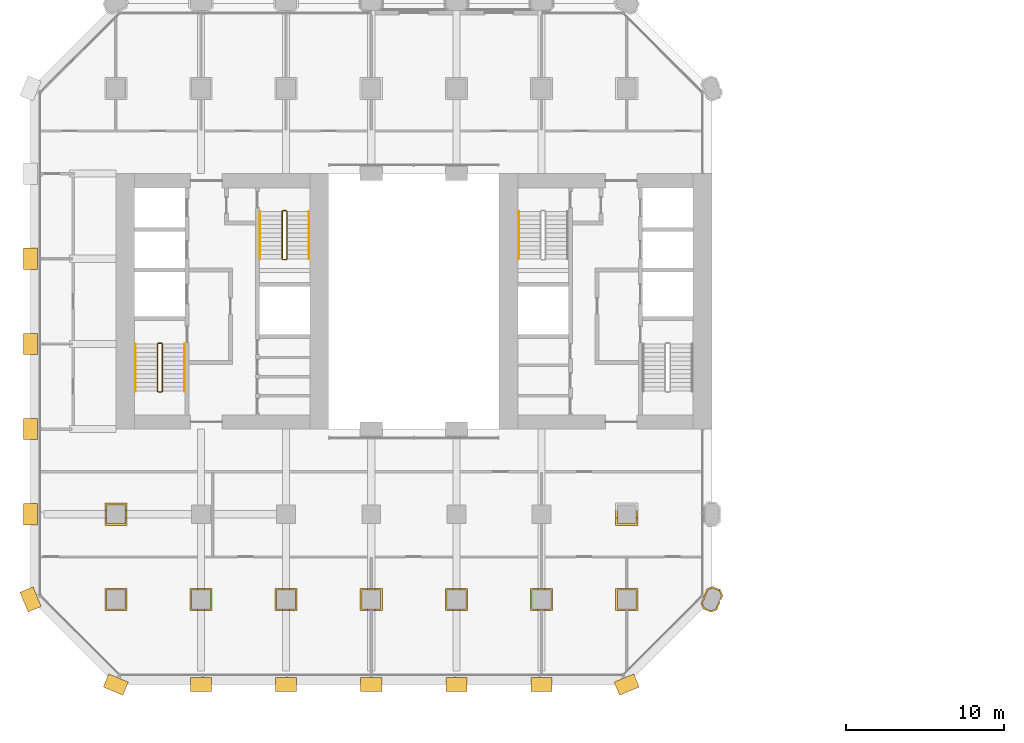
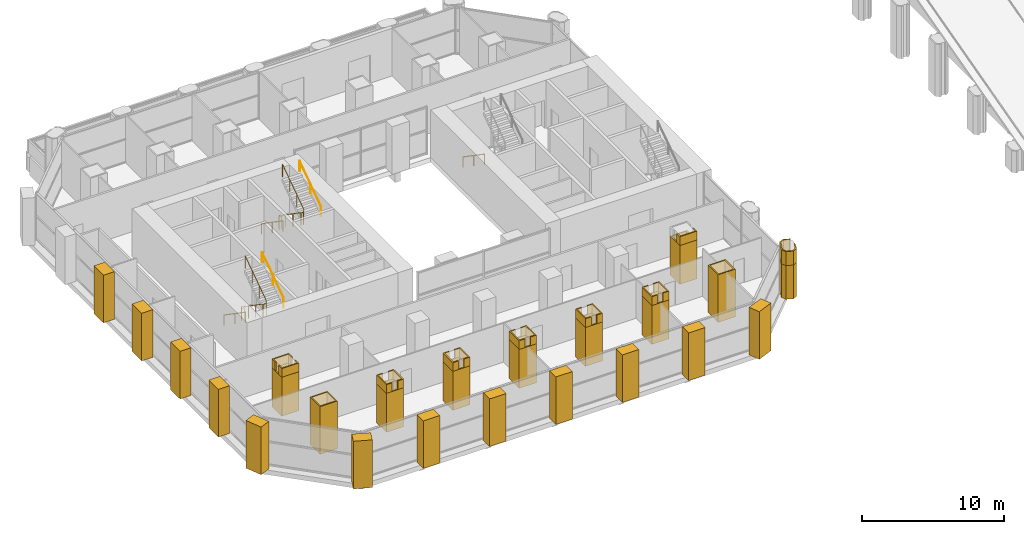
# One storey, part 19 of 23: 36 coverings, 7 railings.
"""IFC4 building model written with IfcOpenShell, lengths in metres."""

from ifc_helpers import new_model, si_unit, direction, frame, frame_2d, origin, origin_2d, place, context, subcontext, project, spatial, polyline, rectangle, circle, outline, extrude, material, layer, layer_set, type_object, element, save


model = new_model("IFC4")

# Units and contexts
model_context = context("Model", 3, precision=1e-05, world=origin(), true_north=direction((0.0, 1.0)))
body_context = subcontext(model_context, "Body", "Model", "MODEL_VIEW")
ifc_project = project(units=[si_unit("LENGTHUNIT", "METRE"), si_unit("AREAUNIT", "SQUARE_METRE"), si_unit("VOLUMEUNIT", "CUBIC_METRE"), si_unit("PLANEANGLEUNIT", "RADIAN"), si_unit("MASSUNIT", "GRAM", prefix="KILO")], contexts=[model_context])

# Site, building, storey
site_placement = place(None, origin())
site = spatial("IfcSite", under=ifc_project, at=site_placement, CompositionType="ELEMENT")
building_placement = place(site_placement, origin())
building = spatial("IfcBuilding", under=site, at=building_placement, Name="Tabaq Tower and Sports Hall", CompositionType="ELEMENT")
storey_placement = place(building_placement, frame((0.0, 0.0, 24.60009765625)))
storey = spatial("IfcBuildingStorey", under=building, at=storey_placement, Name="L04", CompositionType="ELEMENT", Elevation=24.60009765625)

# Coverings
ifc_material_1 = material(Name="Precast concrete C60/75", Category="concrete")
ifc_layer = layer(ifc_material_1, 0.10009765625)
ifc_layer_set = layer_set([ifc_layer], Name="Column cladding 100")
covering_type_1 = type_object("IfcCoveringType", Name="Column cladding 100", PredefinedType="CLADDING", material=ifc_layer_set)
covering_1_placement = place(storey_placement, origin())
element("IfcCovering", 1, at=covering_1_placement, inside=storey, type_object=covering_type_1, Name="Column cladding L04 CC-2B-P", PredefinedType="CLADDING", context=body_context, shape_type="SweptSolid", body=[
    extrude(outline(polyline([(4.7001953125, 6.099609375), (6.099609375, 6.099609375), (6.099609375, 4.7001953125), (4.7001953125, 4.7001953125), (4.7001953125, 6.099609375)]), holes=[polyline([(6.000244140625, 4.7998046875), (6.000244140625, 6.000244140625), (4.7998046875, 6.000244140625), (4.7998046875, 4.7998046875), (6.000244140625, 4.7998046875)])]), origin(), (0.0, 0.0, 1.0), 4.099853515625),
])
covering_2_placement = place(storey_placement, origin())
element("IfcCovering", 2, at=covering_2_placement, inside=storey, type_object=covering_type_1, Name="Column cladding L04 CC-2C-P", PredefinedType="CLADDING", context=body_context, shape_type="SweptSolid", body=[
    extrude(outline(polyline([(4.7001953125, 11.499755859375), (6.099609375, 11.499755859375), (6.099609375, 10.100341796875), (4.7001953125, 10.100341796875), (4.7001953125, 11.499755859375)]), holes=[polyline([(6.000244140625, 10.19970703125), (6.000244140625, 11.400390625), (4.7998046875, 11.400390625), (4.7998046875, 10.19970703125), (6.000244140625, 10.19970703125)])]), origin(), (0.0, 0.0, 1.0), 3.349853515625),
])
covering_3_placement = place(storey_placement, frame((0.0, 0.0, 3.349853515625)))
element("IfcCovering", 3, at=covering_3_placement, inside=storey, type_object=covering_type_1, Name="Column cladding L04 CC-2C-P head", PredefinedType="CLADDING", context=body_context, shape_type="SweptSolid", body=[
    extrude(outline(polyline([(4.79931640625, 10.574462890625), (4.79931640625, 10.199462890625), (6.00048828125, 10.199462890625), (6.00048828125, 10.574462890625), (6.099365234375, 10.574462890625), (6.099365234375, 10.1005859375), (4.70068359375, 10.1005859375), (4.70068359375, 10.574462890625), (4.79931640625, 10.574462890625)])), origin(), (0.0, 0.0, 1.0), 0.75),
])
covering_4_placement = place(storey_placement, frame((0.0, 0.0, 3.349853515625)))
element("IfcCovering", 4, at=covering_4_placement, inside=storey, type_object=covering_type_1, Name="Column cladding L04 CC-2C-P head 2", PredefinedType="CLADDING", context=body_context, shape_type="SweptSolid", body=[
    extrude(outline(polyline([(4.79931640625, 11.025634765625), (4.70068359375, 11.025634765625), (4.70068359375, 11.49951171875), (6.099365234375, 11.49951171875), (6.099365234375, 11.025634765625), (6.00048828125, 11.025634765625), (6.00048828125, 11.400634765625), (4.79931640625, 11.400634765625), (4.79931640625, 11.025634765625)])), origin(), (0.0, 0.0, 1.0), 0.75),
])
covering_5_placement = place(storey_placement, origin())
element("IfcCovering", 5, at=covering_5_placement, inside=storey, type_object=covering_type_1, Name="Column cladding L04 CC-3B-P", PredefinedType="CLADDING", context=body_context, shape_type="SweptSolid", body=[
    extrude(outline(polyline([(10.100341796875, 6.099609375), (11.499755859375, 6.099609375), (11.499755859375, 4.7001953125), (10.100341796875, 4.7001953125), (10.100341796875, 6.099609375)]), holes=[polyline([(11.400390625, 4.7998046875), (11.400390625, 6.000244140625), (10.19970703125, 6.000244140625), (10.19970703125, 4.7998046875), (11.400390625, 4.7998046875)])]), origin(), (0.0, 0.0, 1.0), 3.349853515625),
])
covering_6_placement = place(storey_placement, frame((0.0, 0.0, 3.349853515625)))
element("IfcCovering", 6, at=covering_6_placement, inside=storey, type_object=covering_type_1, Name="Column cladding L04 CC-3B-P head", PredefinedType="CLADDING", context=body_context, shape_type="SweptSolid", body=[
    extrude(outline(polyline([(10.574462890625, 4.79931640625), (10.574462890625, 4.70068359375), (10.1005859375, 4.70068359375), (10.1005859375, 6.099365234375), (10.574462890625, 6.099365234375), (10.574462890625, 6.00048828125), (10.199462890625, 6.00048828125), (10.199462890625, 4.79931640625), (10.574462890625, 4.79931640625)])), origin(), (0.0, 0.0, 1.0), 0.75),
])
covering_7_placement = place(storey_placement, frame((0.0, 0.0, 3.349853515625)))
element("IfcCovering", 7, at=covering_7_placement, inside=storey, type_object=covering_type_1, Name="Column cladding L04 CC-3B-P head 2", PredefinedType="CLADDING", context=body_context, shape_type="SweptSolid", body=[
    extrude(outline(polyline([(11.025634765625, 4.79931640625), (11.400634765625, 4.79931640625), (11.400634765625, 6.00048828125), (11.025634765625, 6.00048828125), (11.025634765625, 6.099365234375), (11.49951171875, 6.099365234375), (11.49951171875, 4.70068359375), (11.025634765625, 4.70068359375), (11.025634765625, 4.79931640625)])), origin(), (0.0, 0.0, 1.0), 0.75),
])
covering_8_placement = place(storey_placement, origin())
element("IfcCovering", 8, at=covering_8_placement, inside=storey, type_object=covering_type_1, Name="Column cladding L04 CC-4B-P", PredefinedType="CLADDING", context=body_context, shape_type="SweptSolid", body=[
    extrude(outline(polyline([(15.500244140625, 6.099609375), (16.899658203125, 6.099609375), (16.899658203125, 4.7001953125), (15.500244140625, 4.7001953125), (15.500244140625, 6.099609375)]), holes=[polyline([(16.80029296875, 4.7998046875), (16.80029296875, 6.000244140625), (15.599609375, 6.000244140625), (15.599609375, 4.7998046875), (16.80029296875, 4.7998046875)])]), origin(), (0.0, 0.0, 1.0), 3.349853515625),
])
covering_9_placement = place(storey_placement, frame((0.0, 0.0, 3.349853515625)))
element("IfcCovering", 9, at=covering_9_placement, inside=storey, type_object=covering_type_1, Name="Column cladding L04 CC-4B-P head", PredefinedType="CLADDING", context=body_context, shape_type="SweptSolid", body=[
    extrude(outline(polyline([(16.425537109375, 4.79931640625), (16.800537109375, 4.79931640625), (16.800537109375, 6.00048828125), (16.425537109375, 6.00048828125), (16.425537109375, 6.099365234375), (16.8994140625, 6.099365234375), (16.8994140625, 4.70068359375), (16.425537109375, 4.70068359375), (16.425537109375, 4.79931640625)])), origin(), (0.0, 0.0, 1.0), 0.75),
])
covering_10_placement = place(storey_placement, frame((0.0, 0.0, 3.349853515625)))
element("IfcCovering", 10, at=covering_10_placement, inside=storey, type_object=covering_type_1, Name="Column cladding L04 CC-4B-P head 2", PredefinedType="CLADDING", context=body_context, shape_type="SweptSolid", body=[
    extrude(outline(polyline([(15.974365234375, 4.79931640625), (15.974365234375, 4.70068359375), (15.50048828125, 4.70068359375), (15.50048828125, 6.099365234375), (15.974365234375, 6.099365234375), (15.974365234375, 6.00048828125), (15.599365234375, 6.00048828125), (15.599365234375, 4.79931640625), (15.974365234375, 4.79931640625)])), origin(), (0.0, 0.0, 1.0), 0.75),
])
covering_11_placement = place(storey_placement, origin())
element("IfcCovering", 11, at=covering_11_placement, inside=storey, type_object=covering_type_1, Name="Column cladding L04 CC-5B-P", PredefinedType="CLADDING", context=body_context, shape_type="SweptSolid", body=[
    extrude(outline(polyline([(20.900390625, 6.099609375), (22.2998046875, 6.099609375), (22.2998046875, 4.7001953125), (20.900390625, 4.7001953125), (20.900390625, 6.099609375)]), holes=[polyline([(22.2001953125, 4.7998046875), (22.2001953125, 6.000244140625), (20.999755859375, 6.000244140625), (20.999755859375, 4.7998046875), (22.2001953125, 4.7998046875)])]), origin(), (0.0, 0.0, 1.0), 3.349853515625),
])
covering_12_placement = place(storey_placement, frame((0.0, 0.0, 3.349853515625)))
element("IfcCovering", 12, at=covering_12_placement, inside=storey, type_object=covering_type_1, Name="Column cladding L04 CC-5B-P head", PredefinedType="CLADDING", context=body_context, shape_type="SweptSolid", body=[
    extrude(outline(polyline([(21.37451171875, 4.79931640625), (21.37451171875, 4.70068359375), (20.900634765625, 4.70068359375), (20.900634765625, 6.099365234375), (21.37451171875, 6.099365234375), (21.37451171875, 6.00048828125), (20.99951171875, 6.00048828125), (20.99951171875, 4.79931640625), (21.37451171875, 4.79931640625)])), origin(), (0.0, 0.0, 1.0), 0.75),
])
covering_13_placement = place(storey_placement, frame((0.0, 0.0, 3.349853515625)))
element("IfcCovering", 13, at=covering_13_placement, inside=storey, type_object=covering_type_1, Name="Column cladding L04 CC-5B-P head 2", PredefinedType="CLADDING", context=body_context, shape_type="SweptSolid", body=[
    extrude(outline(polyline([(21.82568359375, 4.79931640625), (22.20068359375, 4.79931640625), (22.20068359375, 6.00048828125), (21.82568359375, 6.00048828125), (21.82568359375, 6.099365234375), (22.29931640625, 6.099365234375), (22.29931640625, 4.70068359375), (21.82568359375, 4.70068359375), (21.82568359375, 4.79931640625)])), origin(), (0.0, 0.0, 1.0), 0.75),
])
covering_14_placement = place(storey_placement, origin())
element("IfcCovering", 14, at=covering_14_placement, inside=storey, type_object=covering_type_1, Name="Column cladding L04 CC-6B-P", PredefinedType="CLADDING", context=body_context, shape_type="SweptSolid", body=[
    extrude(outline(polyline([(26.30029296875, 6.099609375), (27.69970703125, 6.099609375), (27.69970703125, 4.7001953125), (26.30029296875, 4.7001953125), (26.30029296875, 6.099609375)]), holes=[polyline([(27.600341796875, 4.7998046875), (27.600341796875, 6.000244140625), (26.399658203125, 6.000244140625), (26.399658203125, 4.7998046875), (27.600341796875, 4.7998046875)])]), origin(), (0.0, 0.0, 1.0), 3.349853515625),
])
covering_15_placement = place(storey_placement, frame((0.0, 0.0, 3.349853515625)))
element("IfcCovering", 15, at=covering_15_placement, inside=storey, type_object=covering_type_1, Name="Column cladding L04 CC-6B-P head", PredefinedType="CLADDING", context=body_context, shape_type="SweptSolid", body=[
    extrude(outline(polyline([(26.7744140625, 4.79931640625), (26.7744140625, 4.70068359375), (26.300537109375, 4.70068359375), (26.300537109375, 6.099365234375), (26.7744140625, 6.099365234375), (26.7744140625, 6.00048828125), (26.3994140625, 6.00048828125), (26.3994140625, 4.79931640625), (26.7744140625, 4.79931640625)])), origin(), (0.0, 0.0, 1.0), 0.75),
])
covering_16_placement = place(storey_placement, frame((0.0, 0.0, 3.349853515625)))
element("IfcCovering", 16, at=covering_16_placement, inside=storey, type_object=covering_type_1, Name="Column cladding L04 CC-6B-P head 2", PredefinedType="CLADDING", context=body_context, shape_type="SweptSolid", body=[
    extrude(outline(polyline([(27.2255859375, 4.79931640625), (27.6005859375, 4.79931640625), (27.6005859375, 6.00048828125), (27.2255859375, 6.00048828125), (27.2255859375, 6.099365234375), (27.699462890625, 6.099365234375), (27.699462890625, 4.70068359375), (27.2255859375, 4.70068359375), (27.2255859375, 4.79931640625)])), origin(), (0.0, 0.0, 1.0), 0.75),
])
covering_17_placement = place(storey_placement, origin())
element("IfcCovering", 17, at=covering_17_placement, inside=storey, type_object=covering_type_1, Name="Column cladding L04 CC-7B-P", PredefinedType="CLADDING", context=body_context, shape_type="SweptSolid", body=[
    extrude(outline(polyline([(31.7001953125, 6.099609375), (33.099609375, 6.099609375), (33.099609375, 4.7001953125), (31.7001953125, 4.7001953125), (31.7001953125, 6.099609375)]), holes=[polyline([(33.000244140625, 4.7998046875), (33.000244140625, 6.000244140625), (31.7998046875, 6.000244140625), (31.7998046875, 4.7998046875), (33.000244140625, 4.7998046875)])]), origin(), (0.0, 0.0, 1.0), 3.349853515625),
])
covering_18_placement = place(storey_placement, frame((0.0, 0.0, 3.349853515625)))
element("IfcCovering", 18, at=covering_18_placement, inside=storey, type_object=covering_type_1, Name="Column cladding L04 CC-7B-P head", PredefinedType="CLADDING", context=body_context, shape_type="SweptSolid", body=[
    extrude(outline(polyline([(32.62548828125, 4.79931640625), (33.00048828125, 4.79931640625), (33.00048828125, 6.00048828125), (32.62548828125, 6.00048828125), (32.62548828125, 6.099365234375), (33.099365234375, 6.099365234375), (33.099365234375, 4.70068359375), (32.62548828125, 4.70068359375), (32.62548828125, 4.79931640625)])), origin(), (0.0, 0.0, 1.0), 0.75),
])
covering_19_placement = place(storey_placement, frame((0.0, 0.0, 3.349853515625)))
element("IfcCovering", 19, at=covering_19_placement, inside=storey, type_object=covering_type_1, Name="Column cladding L04 CC-7B-P head 2", PredefinedType="CLADDING", context=body_context, shape_type="SweptSolid", body=[
    extrude(outline(polyline([(32.17431640625, 4.79931640625), (32.17431640625, 4.70068359375), (31.70068359375, 4.70068359375), (31.70068359375, 6.099365234375), (32.17431640625, 6.099365234375), (32.17431640625, 6.00048828125), (31.79931640625, 6.00048828125), (31.79931640625, 4.79931640625), (32.17431640625, 4.79931640625)])), origin(), (0.0, 0.0, 1.0), 0.75),
])
covering_20_placement = place(storey_placement, origin())
element("IfcCovering", 20, at=covering_20_placement, inside=storey, type_object=covering_type_1, Name="Column cladding L04 CC-8B-P", PredefinedType="CLADDING", context=body_context, shape_type="SweptSolid", body=[
    extrude(outline(polyline([(37.100341796875, 6.099609375), (38.499755859375, 6.099609375), (38.499755859375, 4.7001953125), (37.100341796875, 4.7001953125), (37.100341796875, 6.099609375)]), holes=[polyline([(38.400390625, 4.7998046875), (38.400390625, 6.000244140625), (37.19970703125, 6.000244140625), (37.19970703125, 4.7998046875), (38.400390625, 4.7998046875)])]), origin(), (0.0, 0.0, 1.0), 4.099853515625),
])
covering_21_placement = place(storey_placement, origin())
element("IfcCovering", 21, at=covering_21_placement, inside=storey, type_object=covering_type_1, Name="Column cladding L04 CC-8C-P", PredefinedType="CLADDING", context=body_context, shape_type="SweptSolid", body=[
    extrude(outline(polyline([(37.100341796875, 11.499755859375), (38.499755859375, 11.499755859375), (38.499755859375, 10.100341796875), (37.100341796875, 10.100341796875), (37.100341796875, 11.499755859375)]), holes=[polyline([(38.400390625, 10.19970703125), (38.400390625, 11.400390625), (37.19970703125, 11.400390625), (37.19970703125, 10.19970703125), (38.400390625, 10.19970703125)])]), origin(), (0.0, 0.0, 1.0), 3.349853515625),
])
covering_22_placement = place(storey_placement, frame((0.0, 0.0, 3.349853515625)))
element("IfcCovering", 22, at=covering_22_placement, inside=storey, type_object=covering_type_1, Name="Column cladding L04 CC-8C-P head", PredefinedType="CLADDING", context=body_context, shape_type="SweptSolid", body=[
    extrude(outline(polyline([(38.499755859375, 10.100341796875), (37.100341796875, 10.100341796875), (37.100341796875, 10.57470703125), (37.19970703125, 10.57470703125), (37.19970703125, 10.19970703125), (38.400390625, 10.19970703125), (38.400390625, 10.57470703125), (38.499755859375, 10.57470703125), (38.499755859375, 10.100341796875)])), origin(), (0.0, 0.0, 1.0), 0.75),
])
covering_23_placement = place(storey_placement, origin())
element("IfcCovering", 23, at=covering_23_placement, inside=storey, type_object=covering_type_1, Name="Column cladding L04 PC-9B-P", PredefinedType="CLADDING", context=body_context, shape_type="SweptSolid", body=[
    extrude(outline(polyline([(42.657470703125, 4.7861328125), (42.504150390625, 5.156494140625), (42.68212890625, 5.586181640625), (42.690185546875, 5.586181640625), (42.690185546875, 5.60595703125), (42.880126953125, 6.064208984375), (43.25048828125, 6.217529296875), (43.742431640625, 6.013916015625), (43.895751953125, 5.6435546875), (43.795166015625, 5.400390625), (43.696533203125, 5.400390625), (43.696533203125, 5.249755859375), (43.732177734375, 5.248291015625), (43.519775390625, 4.73583984375), (43.149658203125, 4.582275390625), (42.657470703125, 4.7861328125)]), holes=[polyline([(43.66650390625, 5.937744140625), (43.25048828125, 6.110107421875), (42.956298828125, 5.98828125), (42.61181640625, 5.156494140625), (42.733642578125, 4.8623046875), (43.149658203125, 4.68994140625), (43.44384765625, 4.811767578125), (43.788330078125, 5.6435546875), (43.66650390625, 5.937744140625)])]), origin(), (0.0, 0.0, 1.0), 2.89990234375),
])
covering_24_placement = place(storey_placement, frame((0.0, 0.0, 2.89990234375)))
element("IfcCovering", 24, at=covering_24_placement, inside=storey, type_object=covering_type_1, Name="Column cladding L04 PC-9B-P head", PredefinedType="CLADDING", context=body_context, shape_type="SweptSolid", body=[
    extrude(outline(polyline([(42.504150390625, 5.156494140625), (42.68212890625, 5.586181640625), (42.690185546875, 5.586181640625), (42.690185546875, 5.60595703125), (42.880126953125, 6.064208984375), (43.25048828125, 6.217529296875), (43.742431640625, 6.013916015625), (43.748046875, 6.000244140625), (43.649658203125, 6.000244140625), (43.649658203125, 5.944580078125), (43.25048828125, 6.110107421875), (42.956298828125, 5.98828125), (42.61181640625, 5.156494140625), (42.733642578125, 4.8623046875), (43.149658203125, 4.68994140625), (43.44384765625, 4.811767578125), (43.687255859375, 5.399658203125), (43.696533203125, 5.399658203125), (43.696533203125, 5.249755859375), (43.732177734375, 5.248291015625), (43.519775390625, 4.73583984375), (43.149658203125, 4.582275390625), (42.657470703125, 4.7861328125), (42.504150390625, 5.156494140625)])), origin(), (0.0, 0.0, 1.0), 1.199951171875),
])
ifc_material_2 = material(Name="White precast concrete C60/75", Category="concrete")
covering_type_2 = type_object("IfcCoveringType", Name="Pier cladding hung 1350x900", PredefinedType="CLADDING", material=ifc_material_2)
for number, where, z_axis, x_axis, name in (
    (25, (-0.25830078125, 6.023681640625, 0.0), (0.0, 0.0, 1.0), (0.382649923473, -0.923893411637, 0.0), "Hung pier cladding 0/1"),
    (26, (0.0, 11.47509765625, 0.0), (0.0, 0.0, 1.0), (0.0, -1.0, 0.0), "Hung pier cladding 0/2"),
    (27, (0.0, 16.875, 0.0), (0.0, 0.0, 1.0), (0.0, -1.0, 0.0), "Hung pier cladding 0/3"),
):
    element("IfcCovering", number, at=place(storey_placement, frame(where, z_axis=z_axis, x_axis=x_axis)), inside=storey, type_object=covering_type_2, Name=name, PredefinedType="CLADDING", context=body_context, shape_type="SweptSolid", body=[
        extrude(rectangle(XDim=1.35009765625, YDim=0.89990234375, at=frame_2d((0.675048828125, 0.0))), origin(), (0.0, 0.0, 1.0), 4.099853515625),
    ])
covering_25_placement = place(storey_placement, frame((0.0, 22.27490234375, 0.0), z_axis=(0.0, 0.0, 1.0), x_axis=(0.0, -1.0, 0.0)))
element("IfcCovering", 28, at=covering_25_placement, inside=storey, type_object=covering_type_2, Name="Hung pier cladding 0/4", PredefinedType="CLADDING", context=body_context, shape_type="SweptSolid", body=[
    extrude(rectangle(XDim=1.349853515625, YDim=0.89990234375, at=frame_2d((0.6748046875, 0.0))), origin(), (0.0, 0.0, 1.0), 4.099853515625),
])
for number, where, z_axis, x_axis, name in (
    (29, (0.0, 27.675048828125, 0.0), (0.0, 0.0, 1.0), (0.0, -1.0, 0.0), "Hung pier cladding 0/5"),
    (30, (4.7763671875, 0.25830078125, 0.0), (0.0, 0.0, 1.0), (0.923893411637, -0.382649923473, 0.0), "Hung pier cladding 1/0"),
    (31, (10.125, 0.0, 0.0), (0.0, 0.0, 1.0), (1.0, 0.0, 0.0), "Hung pier cladding 2/0"),
    (32, (15.52490234375, 0.0, 0.0), (0.0, 0.0, 1.0), (1.0, 0.0, 0.0), "Hung pier cladding 3/0"),
):
    element("IfcCovering", number, at=place(storey_placement, frame(where, z_axis=z_axis, x_axis=x_axis)), inside=storey, type_object=covering_type_2, Name=name, PredefinedType="CLADDING", context=body_context, shape_type="SweptSolid", body=[
        extrude(rectangle(XDim=1.35009765625, YDim=0.89990234375, at=frame_2d((0.675048828125, 0.0))), origin(), (0.0, 0.0, 1.0), 4.099853515625),
    ])
covering_26_placement = place(storey_placement, frame((20.925048828125, 0.0, 0.0), z_axis=(0.0, 0.0, 1.0), x_axis=(1.0, 0.0, 0.0)))
element("IfcCovering", 33, at=covering_26_placement, inside=storey, type_object=covering_type_2, Name="Hung pier cladding 4/0", PredefinedType="CLADDING", context=body_context, shape_type="SweptSolid", body=[
    extrude(rectangle(XDim=1.349853515625, YDim=0.89990234375, at=frame_2d((0.6748046875, 0.0))), origin(), (0.0, 0.0, 1.0), 4.099853515625),
])
covering_27_placement = place(storey_placement, frame((26.324951171875, 0.0, 0.0), z_axis=(0.0, 0.0, 1.0), x_axis=(1.0, 0.0, 0.0)))
element("IfcCovering", 34, at=covering_27_placement, inside=storey, type_object=covering_type_2, Name="Hung pier cladding 5/0", PredefinedType="CLADDING", context=body_context, shape_type="SweptSolid", body=[
    extrude(rectangle(XDim=1.35009765625, YDim=0.89990234375, at=frame_2d((0.675048828125, 0.0))), origin(), (0.0, 0.0, 1.0), 4.099853515625),
])
covering_28_placement = place(storey_placement, frame((31.72509765625, 0.0, 0.0), z_axis=(0.0, 0.0, 1.0), x_axis=(1.0, 0.0, 0.0)))
element("IfcCovering", 35, at=covering_28_placement, inside=storey, type_object=covering_type_2, Name="Hung pier cladding 6/0", PredefinedType="CLADDING", context=body_context, shape_type="SweptSolid", body=[
    extrude(rectangle(XDim=1.349853515625, YDim=0.89990234375, at=frame_2d((0.6748046875, 0.0))), origin(), (0.0, 0.0, 1.0), 4.099853515625),
])
covering_29_placement = place(storey_placement, frame((37.17626953125, -0.25830078125, 0.0), z_axis=(0.0, 0.0, 1.0), x_axis=(0.923893411637, 0.382649923473, 0.0)))
element("IfcCovering", 36, at=covering_29_placement, inside=storey, type_object=covering_type_2, Name="Hung pier cladding 7/0", PredefinedType="CLADDING", context=body_context, shape_type="SweptSolid", body=[
    extrude(rectangle(XDim=1.35009765625, YDim=0.89990234375, at=frame_2d((0.675048828125, 0.0))), origin(), (0.0, 0.0, 1.0), 4.099853515625),
])

# Railings
ifc_material_3 = material(Name="Stainless steel", Category="steel")
railing_type_1 = type_object("IfcRailingType", Name="Stair guard", PredefinedType="GUARDRAIL", material=ifc_material_3)
railing_1_placement = place(storey_placement, frame((8.300048828125, 21.64990234375, 0.0)))
element("IfcRailing", 37, at=railing_1_placement, inside=storey, type_object=railing_type_1, Name="L04 ST1 stair guard 1", PredefinedType="GUARDRAIL", context=body_context, shape_type="SweptSolid", body=[
    extrude(circle(Radius=0.02392578125, at=origin_2d()), frame((0.0, 0.0, 1.076171875), z_axis=(-1.0, 0.0, 0.0), x_axis=(0.0, -1.0, 0.0)), (0.0, 0.0, 1.0), 0.199951171875),
    extrude(circle(Radius=0.02392578125, at=origin_2d()), frame((-0.199951171875, 0.0, 1.076171875), z_axis=(-0.249802250048, -0.248583702486, 0.935844527007), x_axis=(0.705375805398, -0.708833529934, 0.0)), (0.0, 0.0, 1.0), 0.200439453125),
    extrude(circle(Radius=0.02392578125, at=origin_2d()), frame((-0.25, -0.0498046875, 1.263671875), z_axis=(0.0, -0.824041924199, 0.566528822887), x_axis=(1.0, 0.0, 0.0)), (0.0, 0.0, 1.0), 3.640625),
    extrude(circle(Radius=0.02392578125, at=origin_2d()), frame((-0.25, -3.0498046875, 3.326171875), z_axis=(0.707106781187, -0.707106781187, 0.0), x_axis=(0.707106781187, 0.707106781187, 0.0)), (0.0, 0.0, 1.0), 0.07080078125),
    extrude(circle(Radius=0.02392578125, at=origin_2d()), frame((-0.199951171875, -3.099853515625, 3.326171875), z_axis=(1.0, 0.0, 0.0), x_axis=(0.0, 1.0, 0.0)), (0.0, 0.0, 1.0), 0.199951171875),
    extrude(circle(Radius=0.02392578125, at=origin_2d()), frame((0.0, -3.099853515625, 3.326171875), z_axis=(0.249726431254, 0.249726431254, 0.935560483917), x_axis=(-0.707106781187, 0.707106781187, 0.0)), (0.0, 0.0, 1.0), 0.200439453125),
    extrude(circle(Radius=0.02392578125, at=origin_2d()), frame((0.050048828125, -3.0498046875, 3.513671875), z_axis=(0.0, 0.824041924199, 0.566528822887), x_axis=(-1.0, 0.0, 0.0)), (0.0, 0.0, 1.0), 3.640625),
    extrude(circle(Radius=0.02099609375, at=origin_2d()), origin(), (0.0, 0.0, 1.0), 1.052001953125),
    extrude(circle(Radius=0.02099609375, at=origin_2d()), frame((-0.199951171875, 0.0, 0.0)), (0.0, 0.0, 1.0), 1.052001953125),
    extrude(circle(Radius=0.02099609375, at=origin_2d()), frame((-0.25, -0.0498046875, 0.1875)), (0.0, 0.0, 1.0), 1.052001953125),
    extrude(circle(Radius=0.02099609375, at=origin_2d()), frame((-0.25, -1.0498046875, 0.875)), (0.0, 0.0, 1.0), 1.052001953125),
    extrude(circle(Radius=0.02099609375, at=origin_2d()), frame((-0.25, -2.0498046875, 1.5625)), (0.0, 0.0, 1.0), 1.052001953125),
    extrude(circle(Radius=0.02099609375, at=origin_2d()), frame((-0.25, -3.0498046875, 2.25)), (0.0, 0.0, 1.0), 1.052001953125),
    extrude(circle(Radius=0.02099609375, at=origin_2d()), frame((-0.199951171875, -3.099853515625, 2.25)), (0.0, 0.0, 1.0), 1.052001953125),
    extrude(circle(Radius=0.02099609375, at=origin_2d()), frame((0.0, -3.099853515625, 2.25)), (0.0, 0.0, 1.0), 1.052001953125),
    extrude(circle(Radius=0.02099609375, at=origin_2d()), frame((0.050048828125, -3.0498046875, 2.4375)), (0.0, 0.0, 1.0), 1.052001953125),
    extrude(circle(Radius=0.02099609375, at=origin_2d()), frame((0.050048828125, -2.0498046875, 3.125)), (0.0, 0.0, 1.0), 1.052001953125),
    extrude(circle(Radius=0.02099609375, at=origin_2d()), frame((0.050048828125, -1.0498046875, 3.8125)), (0.0, 0.0, 1.0), 1.052001953125),
    extrude(circle(Radius=0.02099609375, at=origin_2d()), frame((0.050048828125, -0.0498046875, 4.5)), (0.0, 0.0, 1.0), 1.052001953125),
])
railing_2_placement = place(storey_placement, frame((16.199951171875, 30.050048828125, 0.0)))
element("IfcRailing", 38, at=railing_2_placement, inside=storey, type_object=railing_type_1, Name="L04 ST2 stair guard 1", PredefinedType="GUARDRAIL", context=body_context, shape_type="SweptSolid", body=[
    extrude(circle(Radius=0.02392578125, at=origin_2d()), frame((0.0, 0.0, 1.076171875), z_axis=(-1.0, 0.0, 0.0), x_axis=(0.0, -1.0, 0.0)), (0.0, 0.0, 1.0), 0.199951171875),
    extrude(circle(Radius=0.02392578125, at=origin_2d()), frame((-0.199951171875, 0.0, 1.076171875), z_axis=(-0.249726431254, -0.249726431254, 0.935560483917), x_axis=(0.707106781187, -0.707106781187, 0.0)), (0.0, 0.0, 1.0), 0.200439453125),
    extrude(circle(Radius=0.02392578125, at=origin_2d()), frame((-0.25, -0.050048828125, 1.263671875), z_axis=(0.0, -0.824041924199, 0.566528822887), x_axis=(1.0, 0.0, 0.0)), (0.0, 0.0, 1.0), 3.640625),
    extrude(circle(Radius=0.02392578125, at=origin_2d()), frame((-0.25, -3.050048828125, 3.326171875), z_axis=(0.707106781187, -0.707106781187, 0.0), x_axis=(0.707106781187, 0.707106781187, 0.0)), (0.0, 0.0, 1.0), 0.07080078125),
    extrude(circle(Radius=0.02392578125, at=origin_2d()), frame((-0.199951171875, -3.10009765625, 3.326171875), z_axis=(1.0, 0.0, 0.0), x_axis=(0.0, 1.0, 0.0)), (0.0, 0.0, 1.0), 0.199951171875),
    extrude(circle(Radius=0.02392578125, at=origin_2d()), frame((0.0, -3.10009765625, 3.326171875), z_axis=(0.249726431254, 0.249726431254, 0.935560483917), x_axis=(-0.707106781187, 0.707106781187, 0.0)), (0.0, 0.0, 1.0), 0.200439453125),
    extrude(circle(Radius=0.02392578125, at=origin_2d()), frame((0.050048828125, -3.050048828125, 3.513671875), z_axis=(0.0, 0.824041924199, 0.566528822887), x_axis=(-1.0, 0.0, 0.0)), (0.0, 0.0, 1.0), 3.640625),
    extrude(circle(Radius=0.02099609375, at=origin_2d()), origin(), (0.0, 0.0, 1.0), 1.052001953125),
    extrude(circle(Radius=0.02099609375, at=origin_2d()), frame((-0.199951171875, 0.0, 0.0)), (0.0, 0.0, 1.0), 1.052001953125),
    extrude(circle(Radius=0.02099609375, at=origin_2d()), frame((-0.25, -0.050048828125, 0.1875)), (0.0, 0.0, 1.0), 1.052001953125),
    extrude(circle(Radius=0.02099609375, at=origin_2d()), frame((-0.25, -1.050048828125, 0.875)), (0.0, 0.0, 1.0), 1.052001953125),
    extrude(circle(Radius=0.02099609375, at=origin_2d()), frame((-0.25, -2.050048828125, 1.5625)), (0.0, 0.0, 1.0), 1.052001953125),
    extrude(circle(Radius=0.02099609375, at=origin_2d()), frame((-0.25, -3.050048828125, 2.25)), (0.0, 0.0, 1.0), 1.052001953125),
    extrude(circle(Radius=0.02099609375, at=origin_2d()), frame((-0.199951171875, -3.10009765625, 2.25)), (0.0, 0.0, 1.0), 1.052001953125),
    extrude(circle(Radius=0.02099609375, at=origin_2d()), frame((0.0, -3.10009765625, 2.25)), (0.0, 0.0, 1.0), 1.052001953125),
    extrude(circle(Radius=0.02099609375, at=origin_2d()), frame((0.050048828125, -3.050048828125, 2.4375)), (0.0, 0.0, 1.0), 1.052001953125),
    extrude(circle(Radius=0.02099609375, at=origin_2d()), frame((0.050048828125, -2.050048828125, 3.125)), (0.0, 0.0, 1.0), 1.052001953125),
    extrude(circle(Radius=0.02099609375, at=origin_2d()), frame((0.050048828125, -1.050048828125, 3.8125)), (0.0, 0.0, 1.0), 1.052001953125),
    extrude(circle(Radius=0.02099609375, at=origin_2d()), frame((0.050048828125, -0.050048828125, 4.5)), (0.0, 0.0, 1.0), 1.052001953125),
])
ifc_material_4 = material(Name="Stainless steel", Category="steel")
railing_type_2 = type_object("IfcRailingType", Name="Stair handrail", PredefinedType="HANDRAIL", material=ifc_material_4)
railing_3_placement = place(storey_placement, frame((6.64990234375, 21.60009765625, 0.1875)))
element("IfcRailing", 39, at=railing_3_placement, inside=storey, type_object=railing_type_2, Name="L04 ST1 stair handrail 1", PredefinedType="HANDRAIL", context=body_context, shape_type="SweptSolid", body=[
    extrude(circle(Radius=0.02392578125, at=origin_2d()), frame((0.0, 0.0, 0.8759765625), z_axis=(0.0, -0.824041924199, 0.566528822887), x_axis=(1.0, 0.0, 0.0)), (0.0, 0.0, 1.0), 3.640625),
    extrude(circle(Radius=0.02099609375, at=origin_2d()), origin(), (0.0, 0.0, 1.0), 0.851806640625),
    extrude(circle(Radius=0.02099609375, at=origin_2d()), frame((0.0, -1.5, 1.03125)), (0.0, 0.0, 1.0), 0.851806640625),
    extrude(circle(Radius=0.02099609375, at=origin_2d()), frame((0.0, -3.0, 2.0625)), (0.0, 0.0, 1.0), 0.851806640625),
])
railing_4_placement = place(storey_placement, frame((9.75, 18.60009765625, 2.4375)))
element("IfcRailing", 40, at=railing_4_placement, inside=storey, type_object=railing_type_2, Name="L04 ST1 stair handrail 2", PredefinedType="HANDRAIL", context=body_context, shape_type="SweptSolid", body=[
    extrude(circle(Radius=0.02392578125, at=origin_2d()), frame((0.0, 0.0, 0.8759765625), z_axis=(0.0, 0.824041924199, 0.566528822887), x_axis=(-1.0, 0.0, 0.0)), (0.0, 0.0, 1.0), 3.640625),
    extrude(circle(Radius=0.02099609375, at=origin_2d()), origin(), (0.0, 0.0, 1.0), 0.851806640625),
    extrude(circle(Radius=0.02099609375, at=origin_2d()), frame((0.0, 1.5, 1.03125)), (0.0, 0.0, 1.0), 0.851806640625),
    extrude(circle(Radius=0.02099609375, at=origin_2d()), frame((0.0, 3.0, 2.0625)), (0.0, 0.0, 1.0), 0.851806640625),
])
railing_5_placement = place(storey_placement, frame((14.550048828125, 30.0, 0.1875)))
element("IfcRailing", 41, at=railing_5_placement, inside=storey, type_object=railing_type_2, Name="L04 ST2 stair handrail 1", PredefinedType="HANDRAIL", context=body_context, shape_type="SweptSolid", body=[
    extrude(circle(Radius=0.02392578125, at=origin_2d()), frame((0.0, 0.0, 0.8759765625), z_axis=(0.0, -0.824041924199, 0.566528822887), x_axis=(1.0, 0.0, 0.0)), (0.0, 0.0, 1.0), 3.640625),
    extrude(circle(Radius=0.02099609375, at=origin_2d()), origin(), (0.0, 0.0, 1.0), 0.851806640625),
    extrude(circle(Radius=0.02099609375, at=origin_2d()), frame((0.0, -1.5, 1.03125)), (0.0, 0.0, 1.0), 0.851806640625),
    extrude(circle(Radius=0.02099609375, at=origin_2d()), frame((0.0, -3.0, 2.0625)), (0.0, 0.0, 1.0), 0.851806640625),
])
railing_6_placement = place(storey_placement, frame((17.64990234375, 27.0, 2.4375)))
element("IfcRailing", 42, at=railing_6_placement, inside=storey, type_object=railing_type_2, Name="L04 ST2 stair handrail 2", PredefinedType="HANDRAIL", context=body_context, shape_type="SweptSolid", body=[
    extrude(circle(Radius=0.02392578125, at=origin_2d()), frame((0.0, 0.0, 0.8759765625), z_axis=(0.0, 0.824041924199, 0.566528822887), x_axis=(-1.0, 0.0, 0.0)), (0.0, 0.0, 1.0), 3.640625),
    extrude(circle(Radius=0.02099609375, at=origin_2d()), origin(), (0.0, 0.0, 1.0), 0.851806640625),
    extrude(circle(Radius=0.02099609375, at=origin_2d()), frame((0.0, 1.5, 1.03125)), (0.0, 0.0, 1.0), 0.851806640625),
    extrude(circle(Radius=0.02099609375, at=origin_2d()), frame((0.0, 3.0, 2.0625)), (0.0, 0.0, 1.0), 0.851806640625),
])
railing_7_placement = place(storey_placement, frame((30.949951171875, 30.0, 0.1875)))
element("IfcRailing", 43, at=railing_7_placement, inside=storey, type_object=railing_type_2, Name="L04 ST4 stair handrail 1", PredefinedType="HANDRAIL", context=body_context, shape_type="SweptSolid", body=[
    extrude(circle(Radius=0.02392578125, at=origin_2d()), frame((0.0, 0.0, 0.8759765625), z_axis=(0.0, -0.824041924199, 0.566528822887), x_axis=(1.0, 0.0, 0.0)), (0.0, 0.0, 1.0), 3.640625),
    extrude(circle(Radius=0.02099609375, at=origin_2d()), origin(), (0.0, 0.0, 1.0), 0.851806640625),
    extrude(circle(Radius=0.02099609375, at=origin_2d()), frame((0.0, -1.5, 1.03125)), (0.0, 0.0, 1.0), 0.851806640625),
    extrude(circle(Radius=0.02099609375, at=origin_2d()), frame((0.0, -3.0, 2.0625)), (0.0, 0.0, 1.0), 0.851806640625),
])

save(model, "model.ifc")
